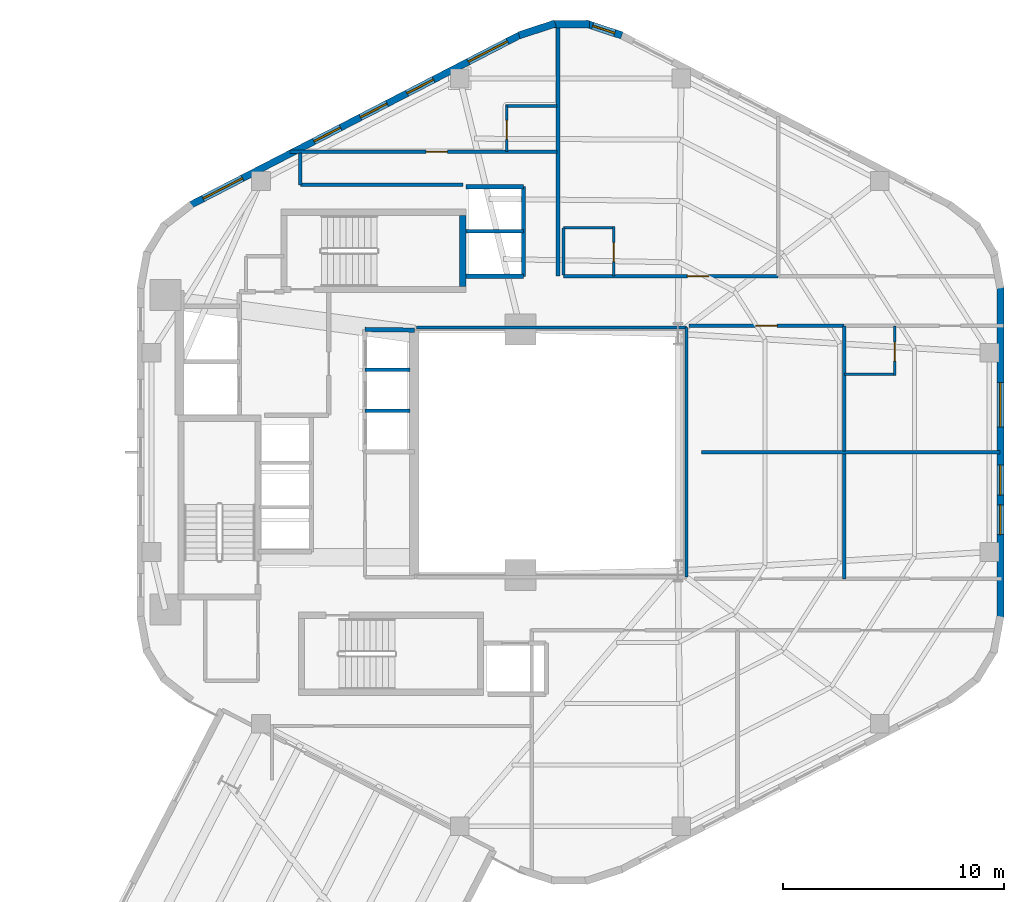
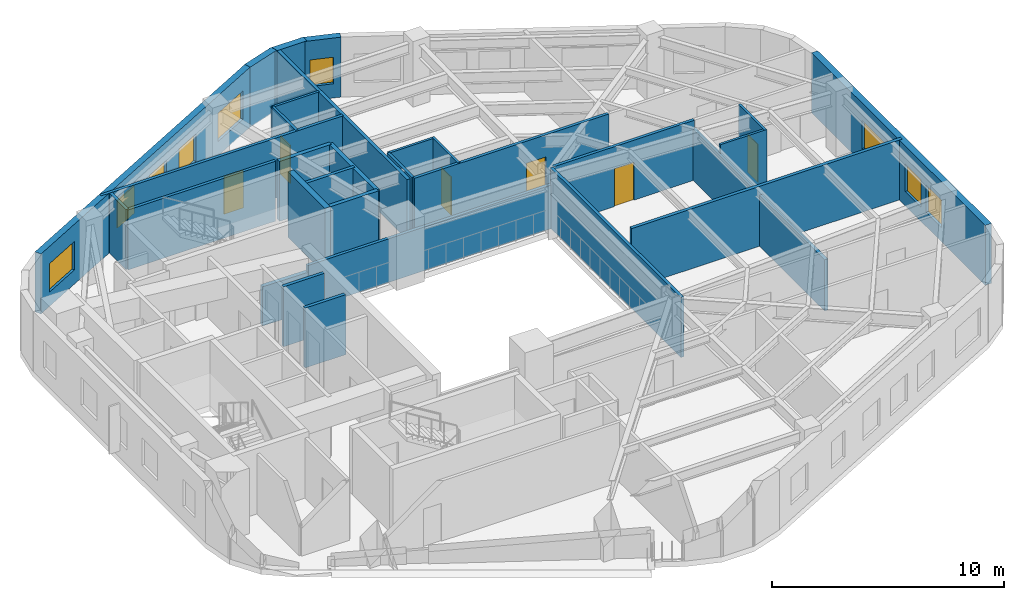
# One storey, part 7 of 9: 31 walls, 9 windows, 6 doors, 15 openings.
"""IFC4 building model written with IfcOpenShell, lengths in metres."""

from ifc_helpers import new_model, si_unit, direction, frame, frame_2d, origin, place, context, subcontext, project, spatial, rectangle, extrude, material, layer, layer_set, type_object, element, fill, save


model = new_model("IFC4")

# Units and contexts
model_context = context("Model", 3, precision=1e-05, world=origin(), true_north=direction((0.0, 1.0)))
body_context = subcontext(model_context, "Body", "Model", "MODEL_VIEW")
ifc_project = project(units=[si_unit("LENGTHUNIT", "METRE"), si_unit("AREAUNIT", "SQUARE_METRE"), si_unit("VOLUMEUNIT", "CUBIC_METRE"), si_unit("PLANEANGLEUNIT", "RADIAN"), si_unit("MASSUNIT", "GRAM", prefix="KILO"), si_unit("THERMODYNAMICTEMPERATUREUNIT", "KELVIN"), si_unit("POWERUNIT", "WATT")], contexts=[model_context])

# Site, building, storey
site_placement = place(None, origin())
site = spatial("IfcSite", under=ifc_project, at=site_placement, CompositionType="ELEMENT")
building_placement = place(site_placement, origin())
building = spatial("IfcBuilding", under=site, at=building_placement, Name="Skarre Station Tower", CompositionType="ELEMENT")
storey_placement = place(building_placement, frame((0.0, 0.0, 177.449951171875)))
storey = spatial("IfcBuildingStorey", under=building, at=storey_placement, Name="L48", CompositionType="ELEMENT", Elevation=177.449951171875)

# Walls
ifc_material_1 = material(Name="Acoustic Steel-Stud Gypsum Partition", Category="steel")
ifc_layer_1 = layer(ifc_material_1, 0.14990234375, Name="Acoustic Steel-Stud Gypsum Partition")
ifc_layer_set_1 = layer_set([ifc_layer_1], Name="Acoustic Steel-Stud Gypsum Partition")
wall_type_1 = type_object("IfcWallType", Name="Fire-Rated Corridor Acoustic Partition 150", PredefinedType="PARTITIONING", material=ifc_layer_set_1)
wall_1_placement = place(storey_placement, frame((39.840087890625, 29.639892578125, 0.0), z_axis=(0.0, 0.0, 1.0), x_axis=(-1.0, 0.0, 0.0)))
element("IfcWall", 1, at=wall_1_placement, inside=storey, type_object=wall_type_1, Name="L48 Interior Partition WL-PT-L48-ATRW-N", PredefinedType="PARTITIONING", context=body_context, shape_type="SweptSolid", body=[
    extrude(rectangle(XDim=12.2001953125, YDim=0.14990234375, at=frame_2d((6.10009765625, 0.0))), origin(), (0.0, 0.0, 1.0), 2.301025390625),
])
wall_2_placement = place(storey_placement, frame((39.840087890625, 18.360107421875, 0.0), z_axis=(0.0, 0.0, 1.0), x_axis=(0.0, 1.0, 0.0)))
element("IfcWall", 2, at=wall_2_placement, inside=storey, type_object=wall_type_1, Name="L48 Interior Partition WL-PT-L48-ATRW-E", PredefinedType="PARTITIONING", context=body_context, shape_type="SweptSolid", body=[
    extrude(rectangle(XDim=11.27978515625, YDim=0.14990234375, at=frame_2d((5.639892578125, 0.0))), origin(), (0.0, 0.0, 1.0), 3.16015625),
])

# Wall, opening, door
wall_3_placement = place(storey_placement, frame((34.0, 37.580078125, 0.0), z_axis=(0.0, 0.0, 1.0), x_axis=(-1.0, 0.0, 0.0)))
wall_3 = element("IfcWall", 3, at=wall_3_placement, inside=storey, type_object=wall_type_1, Name="L48 Interior Partition WL-PT-L48-NWW1-CW", PredefinedType="PARTITIONING", context=body_context, shape_type="SweptSolid", body=[
    extrude(rectangle(XDim=12.074951171875, YDim=0.14990234375, at=frame_2d((6.03759765625, 0.0))), origin(), (0.0, 0.0, 1.0), 3.16015625),
])
opening_1_placement = place(wall_3_placement, frame((4.9599609375, 0.0, 0.0)))
opening_1 = element("IfcOpeningElement", 4, at=opening_1_placement, cuts=wall_3, Name="Opening DR-FD60", PredefinedType="OPENING", context=body_context, shape_type="SweptSolid", body=[
    extrude(rectangle(XDim=0.9599609375, YDim=2.0, at=frame_2d((0.47998046875, 1.0))), frame((0.0, 0.0849609375, 0.0), z_axis=(0.0, -1.0, 0.0), x_axis=(1.0, 0.0, 0.0)), (0.0, 0.0, 1.0), 0.169921875),
])
ifc_material_2 = material(Name="Nordic White-Oak Veneer Solid-Core Fire Leaf", Category="wood")
door_type_1 = type_object("IfcDoorType", Name="Corridor Suite Entry Fire Door FD60 960x2150", OperationType="SINGLE_SWING_LEFT", PredefinedType="DOOR", material=ifc_material_2)
door_1_placement = place(opening_1_placement, origin())
door_1 = element("IfcDoor", 5, at=door_1_placement, inside=storey, type_object=door_type_1, Name="L48 NWW1 Entry Door", OperationType="SINGLE_SWING_LEFT", OverallHeight=2.0, OverallWidth=0.9599609375, PredefinedType="DOOR", context=body_context, shape_type="SweptSolid", body=[
    extrude(rectangle(XDim=0.9599609375, YDim=2.0, at=frame_2d((0.47998046875, 1.0))), frame((0.0, 0.02490234375, 0.0), z_axis=(0.0, -1.0, 0.0), x_axis=(1.0, 0.0, 0.0)), (0.0, 0.0, 1.0), 0.050048828125),
])
fill(opening_1, door_1)

wall_4_placement = place(storey_placement, frame((43.985107421875, 31.9599609375, 0.0), z_axis=(0.0, 0.0, 1.0), x_axis=(-1.0, 0.0, 0.0)))
wall_4 = element("IfcWall", 6, at=wall_4_placement, inside=storey, type_object=wall_type_1, Name="L48 Interior Partition WL-PT-L48-NW1-CW", PredefinedType="PARTITIONING", context=body_context, shape_type="SweptSolid", body=[
    extrude(rectangle(XDim=9.695068359375, YDim=0.14990234375, at=frame_2d((4.84765625, 0.0))), origin(), (0.0, 0.0, 1.0), 3.16015625),
])
opening_2_placement = place(wall_4_placement, frame((3.14794921875, 0.0, 0.0)))
opening_2 = element("IfcOpeningElement", 7, at=opening_2_placement, cuts=wall_4, Name="Opening DR-FD60", PredefinedType="OPENING", context=body_context, shape_type="SweptSolid", body=[
    extrude(rectangle(XDim=0.9599609375, YDim=2.0, at=frame_2d((0.47998046875, 1.0))), frame((0.0, 0.0849609375, 0.0), z_axis=(0.0, -1.0, 0.0), x_axis=(1.0, 0.0, 0.0)), (0.0, 0.0, 1.0), 0.169921875),
])
door_2_placement = place(opening_2_placement, origin())
door_2 = element("IfcDoor", 8, at=door_2_placement, inside=storey, type_object=door_type_1, Name="L48 NW1 Entry Door", OperationType="SINGLE_SWING_LEFT", OverallHeight=2.0, OverallWidth=0.9599609375, PredefinedType="DOOR", context=body_context, shape_type="SweptSolid", body=[
    extrude(rectangle(XDim=0.9599609375, YDim=2.0, at=frame_2d((0.47998046875, 1.0))), frame((0.0, 0.02490234375, 0.0), z_axis=(0.0, -1.0, 0.0), x_axis=(1.0, 0.0, 0.0)), (0.0, 0.0, 1.0), 0.050048828125),
])
fill(opening_2, door_2)

wall_5_placement = place(storey_placement, frame((39.949951171875, 29.7099609375, 0.0), z_axis=(0.0, 0.0, 1.0), x_axis=(1.0, 0.0, 0.0)))
wall_5 = element("IfcWall", 9, at=wall_5_placement, inside=storey, type_object=wall_type_1, Name="L48 Interior Partition WL-PT-L48-EWN1-CW", PredefinedType="PARTITIONING", context=body_context, shape_type="SweptSolid", body=[
    extrude(rectangle(XDim=7.006103515625, YDim=0.14990234375, at=frame_2d((3.5029296875, 0.0))), origin(), (0.0, 0.0, 1.0), 3.16015625),
])
opening_3_placement = place(wall_5_placement, frame((3.02294921875, 0.0, 0.0)))
opening_3 = element("IfcOpeningElement", 10, at=opening_3_placement, cuts=wall_5, Name="Opening DR-FD60", PredefinedType="OPENING", context=body_context, shape_type="SweptSolid", body=[
    extrude(rectangle(XDim=0.9599609375, YDim=2.0, at=frame_2d((0.47998046875, 1.0))), frame((0.0, 0.0849609375, 0.0), z_axis=(0.0, -1.0, 0.0), x_axis=(1.0, 0.0, 0.0)), (0.0, 0.0, 1.0), 0.169921875),
])
door_3_placement = place(opening_3_placement, origin())
door_3 = element("IfcDoor", 11, at=door_3_placement, inside=storey, type_object=door_type_1, Name="L48 EWN1 Entry Door", OperationType="SINGLE_SWING_LEFT", OverallHeight=2.0, OverallWidth=0.9599609375, PredefinedType="DOOR", context=body_context, shape_type="SweptSolid", body=[
    extrude(rectangle(XDim=0.9599609375, YDim=2.0, at=frame_2d((0.47998046875, 1.0))), frame((0.0, 0.02490234375, 0.0), z_axis=(0.0, -1.0, 0.0), x_axis=(1.0, 0.0, 0.0)), (0.0, 0.0, 1.0), 0.050048828125),
])
fill(opening_3, door_3)

# Walls
wall_6_placement = place(storey_placement, frame((29.7529296875, 36.080078125, 0.0), z_axis=(0.0, 0.0, 1.0), x_axis=(-1.0, 0.0, 0.0)))
element("IfcWall", 12, at=wall_6_placement, inside=storey, type_object=wall_type_1, Name="L48 Interior Partition WL-PT-L48-CSEAL-1", PredefinedType="PARTITIONING", context=body_context, shape_type="SweptSolid", body=[
    extrude(rectangle(XDim=7.35302734375, YDim=0.14990234375, at=frame_2d((3.676513671875, 0.0))), origin(), (0.0, 0.0, 1.0), 3.16015625),
])
wall_7_placement = place(storey_placement, frame((22.39990234375, 36.080078125, 0.0), z_axis=(0.0, 0.0, 1.0), x_axis=(0.0, 1.0, 0.0)))
element("IfcWall", 13, at=wall_7_placement, inside=storey, type_object=wall_type_1, Name="L48 Interior Partition WL-PT-L48-CSEAL-2", PredefinedType="PARTITIONING", context=body_context, shape_type="SweptSolid", body=[
    extrude(rectangle(XDim=1.429931640625, YDim=0.14990234375, at=frame_2d((0.71484375, 0.0))), origin(), (0.0, 0.0, 1.0), 3.16015625),
])
ifc_material_3 = material(Name="Insulated Timber-Stud Gypsum Partition", Category="wood")
ifc_layer_2 = layer(ifc_material_3, 0.1201171875, Name="Insulated Timber-Stud Gypsum Partition")
ifc_layer_set_2 = layer_set([ifc_layer_2], Name="Insulated Timber-Stud Gypsum Partition")
wall_type_2 = type_object("IfcWallType", Name="Internal Suite Acoustic Partition 120", PredefinedType="PARTITIONING", material=ifc_layer_set_2)
wall_8_placement = place(storey_placement, frame((34.0, 39.639892578125, 0.0), z_axis=(0.0, 0.0, 1.0), x_axis=(-1.0, 0.0, 0.0)))
element("IfcWall", 14, at=wall_8_placement, inside=storey, type_object=wall_type_2, Name="L48 Interior Partition WL-PT-L48-NWW1-EW3", PredefinedType="PARTITIONING", context=body_context, shape_type="SweptSolid", body=[
    extrude(rectangle(XDim=2.340087890625, YDim=0.1201171875, at=frame_2d((1.169921875, 0.0))), origin(), (0.0, 0.0, 1.0), 3.16015625),
])

# Wall, opening, door
wall_9_placement = place(storey_placement, frame((31.719970703125, 39.639892578125, 0.0), z_axis=(0.0, 0.0, 1.0), x_axis=(0.0, -1.0, 0.0)))
wall_9 = element("IfcWall", 15, at=wall_9_placement, inside=storey, type_object=wall_type_2, Name="L48 Interior Partition WL-PT-L48-NWW1-EW4", PredefinedType="PARTITIONING", context=body_context, shape_type="SweptSolid", body=[
    extrude(rectangle(XDim=2.059814453125, YDim=0.1201171875, at=frame_2d((1.02978515625, 0.0))), origin(), (0.0, 0.0, 1.0), 3.16015625),
])
opening_4_placement = place(wall_9_placement, frame((0.64990234375, 0.0, 0.0)))
opening_4 = element("IfcOpeningElement", 16, at=opening_4_placement, cuts=wall_9, Name="Opening DR-INT86", PredefinedType="OPENING", context=body_context, shape_type="SweptSolid", body=[
    extrude(rectangle(XDim=0.860107421875, YDim=2.0, at=frame_2d((0.43017578125, 1.0))), frame((0.0, 0.070068359375, 0.0), z_axis=(0.0, -1.0, 0.0), x_axis=(1.0, 0.0, 0.0)), (0.0, 0.0, 1.0), 0.14013671875),
])
ifc_material_4 = material(Name="Nordic Birch Acoustic Solid-Core Timber Leaf", Category="wood")
door_type_2 = type_object("IfcDoorType", Name="Internal En-Suite & Bedroom Door 860x2100", OperationType="SINGLE_SWING_LEFT", PredefinedType="DOOR", material=ifc_material_4)
door_4_placement = place(opening_4_placement, origin())
door_4 = element("IfcDoor", 17, at=door_4_placement, inside=storey, type_object=door_type_2, Name="L48 NWW1 En-suite Door", OperationType="SINGLE_SWING_RIGHT", OverallHeight=2.0, OverallWidth=0.860107421875, PredefinedType="DOOR", context=body_context, shape_type="SweptSolid", body=[
    extrude(rectangle(XDim=0.860107421875, YDim=2.0, at=frame_2d((0.43017578125, 1.0))), frame((0.0, 0.02490234375, 0.0), z_axis=(0.0, -1.0, 0.0), x_axis=(1.0, 0.0, 0.0)), (0.0, 0.0, 1.0), 0.050048828125),
])
fill(opening_4, door_4)

wall_10_placement = place(storey_placement, frame((36.550048828125, 31.9599609375, 0.0), z_axis=(0.0, 0.0, 1.0), x_axis=(0.0, 1.0, 0.0)))
wall_10 = element("IfcWall", 18, at=wall_10_placement, inside=storey, type_object=wall_type_2, Name="L48 Interior Partition WL-PT-L48-NW1-EW2", PredefinedType="PARTITIONING", context=body_context, shape_type="SweptSolid", body=[
    extrude(rectangle(XDim=2.239990234375, YDim=0.1201171875, at=frame_2d((1.1201171875, 0.0))), origin(), (0.0, 0.0, 1.0), 3.16015625),
])
opening_5_placement = place(wall_10_placement, frame((0.64990234375, 0.0, 0.0)))
opening_5 = element("IfcOpeningElement", 19, at=opening_5_placement, cuts=wall_10, Name="Opening DR-INT86", PredefinedType="OPENING", context=body_context, shape_type="SweptSolid", body=[
    extrude(rectangle(XDim=0.860107421875, YDim=2.0, at=frame_2d((0.43017578125, 1.0))), frame((0.0, 0.070068359375, 0.0), z_axis=(0.0, -1.0, 0.0), x_axis=(1.0, 0.0, 0.0)), (0.0, 0.0, 1.0), 0.14013671875),
])
door_5_placement = place(opening_5_placement, origin())
door_5 = element("IfcDoor", 20, at=door_5_placement, inside=storey, type_object=door_type_2, Name="L48 NW1 En-suite Door", OperationType="SINGLE_SWING_LEFT", OverallHeight=2.0, OverallWidth=0.860107421875, PredefinedType="DOOR", context=body_context, shape_type="SweptSolid", body=[
    extrude(rectangle(XDim=0.860107421875, YDim=2.0, at=frame_2d((0.43017578125, 1.0))), frame((0.0, 0.02490234375, 0.0), z_axis=(0.0, -1.0, 0.0), x_axis=(1.0, 0.0, 0.0)), (0.0, 0.0, 1.0), 0.050048828125),
])
fill(opening_5, door_5)

# Walls
wall_11_placement = place(storey_placement, frame((36.610107421875, 34.139892578125, 0.0), z_axis=(0.0, 0.0, 1.0), x_axis=(-1.0, 0.0, 0.0)))
element("IfcWall", 21, at=wall_11_placement, inside=storey, type_object=wall_type_2, Name="L48 Interior Partition WL-PT-L48-NW1-EW3", PredefinedType="PARTITIONING", context=body_context, shape_type="SweptSolid", body=[
    extrude(rectangle(XDim=2.320068359375, YDim=0.1201171875, at=frame_2d((1.16015625, 0.0))), origin(), (0.0, 0.0, 1.0), 3.16015625),
])
wall_12_placement = place(storey_placement, frame((34.2900390625, 34.139892578125, 0.0), z_axis=(0.0, 0.0, 1.0), x_axis=(0.0, -1.0, 0.0)))
element("IfcWall", 22, at=wall_12_placement, inside=storey, type_object=wall_type_2, Name="L48 Interior Partition WL-PT-L48-NW1-EW4", PredefinedType="PARTITIONING", context=body_context, shape_type="SweptSolid", body=[
    extrude(rectangle(XDim=2.139892578125, YDim=0.1201171875, at=frame_2d((1.06982421875, 0.0))), origin(), (0.0, 0.0, 1.0), 3.16015625),
])

# Wall, opening, door
wall_13_placement = place(storey_placement, frame((49.24609375, 27.469970703125, 0.0), z_axis=(0.0, 0.0, 1.0), x_axis=(0.0, 1.0, 0.0)))
wall_13 = element("IfcWall", 23, at=wall_13_placement, inside=storey, type_object=wall_type_2, Name="L48 Interior Partition WL-PT-L48-EWN2-EW2", PredefinedType="PARTITIONING", context=body_context, shape_type="SweptSolid", body=[
    extrude(rectangle(XDim=2.239990234375, YDim=0.1201171875, at=frame_2d((1.1201171875, 0.0))), origin(), (0.0, 0.0, 1.0), 3.16015625),
])
opening_6_placement = place(wall_13_placement, frame((0.64990234375, 0.0, 0.0)))
opening_6 = element("IfcOpeningElement", 24, at=opening_6_placement, cuts=wall_13, Name="Opening DR-INT86", PredefinedType="OPENING", context=body_context, shape_type="SweptSolid", body=[
    extrude(rectangle(XDim=0.860107421875, YDim=2.0, at=frame_2d((0.43017578125, 1.0))), frame((0.0, 0.070068359375, 0.0), z_axis=(0.0, -1.0, 0.0), x_axis=(1.0, 0.0, 0.0)), (0.0, 0.0, 1.0), 0.14013671875),
])
door_6_placement = place(opening_6_placement, origin())
door_6 = element("IfcDoor", 25, at=door_6_placement, inside=storey, type_object=door_type_2, Name="L48 EWN2 En-suite Door", OperationType="SINGLE_SWING_RIGHT", OverallHeight=2.0, OverallWidth=0.860107421875, PredefinedType="DOOR", context=body_context, shape_type="SweptSolid", body=[
    extrude(rectangle(XDim=0.860107421875, YDim=2.0, at=frame_2d((0.43017578125, 1.0))), frame((0.0, 0.02490234375, 0.0), z_axis=(0.0, -1.0, 0.0), x_axis=(1.0, 0.0, 0.0)), (0.0, 0.0, 1.0), 0.050048828125),
])
fill(opening_6, door_6)

# Walls
wall_14_placement = place(storey_placement, frame((46.986083984375, 27.530029296875, 0.0), z_axis=(0.0, 0.0, 1.0), x_axis=(1.0, 0.0, 0.0)))
element("IfcWall", 26, at=wall_14_placement, inside=storey, type_object=wall_type_2, Name="L48 Interior Partition WL-PT-L48-EWN2-EW1", PredefinedType="PARTITIONING", context=body_context, shape_type="SweptSolid", body=[
    extrude(rectangle(XDim=2.31982421875, YDim=0.1201171875, at=frame_2d((1.159912109375, 0.0))), origin(), (0.0, 0.0, 1.0), 3.16015625),
])
ifc_material_5 = material(Name="Precast concrete C45/55", Category="concrete")
ifc_layer_3 = layer(ifc_material_5, 0.330078125, Name="Precast concrete C45/55")
ifc_layer_set_3 = layer_set([ifc_layer_3], Name="Precast concrete C45/55")
wall_type_3 = type_object("IfcWallType", Name="Nordic Rounded Corner Precast Wall 330", PredefinedType="STANDARD", material=ifc_layer_set_3)
wall_15_placement = place(storey_placement, frame((32.281005859375, 42.83203125, 0.0), z_axis=(0.0, 0.0, 1.0), x_axis=(0.949937416267, 0.312440242569, 0.0)))
element("IfcWall", 27, at=wall_15_placement, inside=storey, type_object=wall_type_3, Name="L48 Rounded Corner Precast Wall F1-1", PredefinedType="STANDARD", context=body_context, shape_type="SweptSolid", body=[
    extrude(rectangle(XDim=1.72216796875, YDim=0.330078125, at=frame_2d((0.861083984375, 0.0))), origin(), (0.0, 0.0, 1.0), 3.16015625),
])
wall_16_placement = place(storey_placement, frame((33.739013671875, 43.341064453125, 0.0), z_axis=(0.0, 0.0, 1.0), x_axis=(1.0, 0.0, 0.0)))
element("IfcWall", 28, at=wall_16_placement, inside=storey, type_object=wall_type_3, Name="L48 Rounded Corner Precast Wall F1-2", PredefinedType="STANDARD", context=body_context, shape_type="SweptSolid", body=[
    extrude(rectangle(XDim=1.721923828125, YDim=0.330078125, at=frame_2d((0.86083984375, 0.0))), origin(), (0.0, 0.0, 1.0), 3.16015625),
])

# Wall, opening, window
wall_17_placement = place(storey_placement, frame((35.282958984375, 43.3701171875, 0.0), z_axis=(0.0, 0.0, 1.0), x_axis=(0.949937416267, -0.312440242569, 0.0)))
wall_17 = element("IfcWall", 29, at=wall_17_placement, inside=storey, type_object=wall_type_3, Name="L48 Rounded Corner Precast Wall F1-3", PredefinedType="STANDARD", context=body_context, shape_type="SweptSolid", body=[
    extrude(rectangle(XDim=1.72216796875, YDim=0.330078125, at=frame_2d((0.861083984375, 0.0))), origin(), (0.0, 0.0, 1.0), 3.16015625),
])
opening_7_placement = place(wall_17_placement, frame((0.3359375, 0.0, 0.75)))
opening_7 = element("IfcOpeningElement", 30, at=opening_7_placement, cuts=wall_17, Name="Opening WN-SLT", PredefinedType="OPENING", context=body_context, shape_type="SweptSolid", body=[
    extrude(rectangle(XDim=1.050048828125, YDim=1.39990234375, at=frame_2d((0.52490234375, 0.699951171875))), frame((0.0, 0.175048828125, 0.0), z_axis=(0.0, -1.0, 0.0), x_axis=(1.0, 0.0, 0.0)), (0.0, 0.0, 1.0), 0.35009765625),
])
ifc_material_6 = material(Name="Low-Iron Triple Glazing with Bronze Anodized Frame", Category="glass")
window_type_1 = type_object("IfcWindowType", Name="Nordic Corner Slot Window 1050x1400", PartitioningType="SINGLE_PANEL", PredefinedType="WINDOW", material=ifc_material_6)
window_1_placement = place(opening_7_placement, origin())
window_1 = element("IfcWindow", 31, at=window_1_placement, inside=storey, type_object=window_type_1, Name="L48 Apex Corner Slot Window F1-3", OverallHeight=1.39990234375, OverallWidth=1.050048828125, PartitioningType="SINGLE_PANEL", PredefinedType="WINDOW", context=body_context, shape_type="SweptSolid", body=[
    extrude(rectangle(XDim=1.050048828125, YDim=1.39990234375, at=frame_2d((0.52490234375, 0.699951171875))), frame((0.0, 0.030029296875, 0.0), z_axis=(0.0, -1.0, 0.0), x_axis=(1.0, 0.0, 0.0)), (0.0, 0.0, 1.0), 0.06005859375),
])
fill(opening_7, window_1)

# Wall, openings, windows
ifc_layer_4 = layer(ifc_material_5, 0.31005859375, Name="Precast concrete C45/55")
ifc_layer_set_4 = layer_set([ifc_layer_4], Name="Precast concrete C45/55")
wall_type_4 = type_object("IfcWallType", Name="Nordic Upper-Zone Precast Facet Wall 310", PredefinedType="STANDARD", material=ifc_layer_set_4)
wall_18_placement = place(storey_placement, frame((17.407958984375, 35.153076171875, 0.0), z_axis=(0.0, 0.0, 1.0), x_axis=(0.888626188278, 0.458632202867, 0.0)))
wall_18 = element("IfcWall", 32, at=wall_18_placement, inside=storey, type_object=wall_type_4, Name="L48 Facet 1 Nordic Precast Masonry Wall", PredefinedType="STANDARD", context=body_context, shape_type="SweptSolid", body=[
    extrude(rectangle(XDim=16.828369140625, YDim=0.31005859375, at=frame_2d((8.4140625, 0.0))), origin(), (0.0, 0.0, 1.0), 3.16015625),
])
opening_8_placement = place(wall_18_placement, frame((0.675048828125, 0.0, 0.75)))
opening_8 = element("IfcOpeningElement", 33, at=opening_8_placement, cuts=wall_18, Name="Opening WN-Z3A", PredefinedType="OPENING", context=body_context, shape_type="SweptSolid", body=[
    extrude(rectangle(XDim=2.0, YDim=1.5, at=frame_2d((1.0, 0.75))), frame((0.0, 0.1650390625, 0.0), z_axis=(0.0, -1.0, 0.0), x_axis=(1.0, 0.0, 0.0)), (0.0, 0.0, 1.0), 0.330078125),
])
opening_9_placement = place(wall_18_placement, frame((6.31201171875, 0.0, 0.75)))
opening_9 = element("IfcOpeningElement", 34, at=opening_9_placement, cuts=wall_18, Name="Opening WN-Z3B", PredefinedType="OPENING", context=body_context, shape_type="SweptSolid", body=[
    extrude(rectangle(XDim=1.35009765625, YDim=1.449951171875, at=frame_2d((0.675048828125, 0.72509765625))), frame((0.0, 0.1650390625, 0.0), z_axis=(0.0, -1.0, 0.0), x_axis=(1.0, 0.0, 0.0)), (0.0, 0.0, 1.0), 0.330078125),
])
opening_10_placement = place(wall_18_placement, frame((8.676025390625, 0.0, 0.75)))
opening_10 = element("IfcOpeningElement", 35, at=opening_10_placement, cuts=wall_18, Name="Opening WN-Z3B", PredefinedType="OPENING", context=body_context, shape_type="SweptSolid", body=[
    extrude(rectangle(XDim=1.35009765625, YDim=1.449951171875, at=frame_2d((0.675048828125, 0.72509765625))), frame((0.0, 0.1650390625, 0.0), z_axis=(0.0, -1.0, 0.0), x_axis=(1.0, 0.0, 0.0)), (0.0, 0.0, 1.0), 0.330078125),
])
opening_11_placement = place(wall_18_placement, frame((11.041015625, 0.0, 0.75)))
opening_11 = element("IfcOpeningElement", 36, at=opening_11_placement, cuts=wall_18, Name="Opening WN-Z3B", PredefinedType="OPENING", context=body_context, shape_type="SweptSolid", body=[
    extrude(rectangle(XDim=1.35009765625, YDim=1.449951171875, at=frame_2d((0.675048828125, 0.72509765625))), frame((0.0, 0.1650390625, 0.0), z_axis=(0.0, -1.0, 0.0), x_axis=(1.0, 0.0, 0.0)), (0.0, 0.0, 1.0), 0.330078125),
])
opening_12_placement = place(wall_18_placement, frame((14.153076171875, 0.0, 0.75)))
opening_12 = element("IfcOpeningElement", 37, at=opening_12_placement, cuts=wall_18, Name="Opening WN-Z3A", PredefinedType="OPENING", context=body_context, shape_type="SweptSolid", body=[
    extrude(rectangle(XDim=2.0, YDim=1.5, at=frame_2d((1.0, 0.75))), frame((0.0, 0.1650390625, 0.0), z_axis=(0.0, -1.0, 0.0), x_axis=(1.0, 0.0, 0.0)), (0.0, 0.0, 1.0), 0.330078125),
])
window_type_2 = type_object("IfcWindowType", Name="Nordic Hospitality Narrow Window 1350x1450", PartitioningType="SINGLE_PANEL", PredefinedType="WINDOW", material=ifc_material_6)
window_2_placement = place(opening_9_placement, origin())
window_2 = element("IfcWindow", 38, at=window_2_placement, inside=storey, type_object=window_type_2, Name="L48 Facade Window WL-FAC-L48-F1-2", OverallHeight=1.449951171875, OverallWidth=1.35009765625, PartitioningType="SINGLE_PANEL", PredefinedType="WINDOW", context=body_context, shape_type="SweptSolid", body=[
    extrude(rectangle(XDim=1.35009765625, YDim=1.449951171875, at=frame_2d((0.675048828125, 0.72509765625))), frame((0.0, 0.030029296875, 0.0), z_axis=(0.0, -1.0, 0.0), x_axis=(1.0, 0.0, 0.0)), (0.0, 0.0, 1.0), 0.06005859375),
])
fill(opening_9, window_2)
window_3_placement = place(opening_10_placement, origin())
window_3 = element("IfcWindow", 39, at=window_3_placement, inside=storey, type_object=window_type_2, Name="L48 Facade Window WL-FAC-L48-F1-3", OverallHeight=1.449951171875, OverallWidth=1.35009765625, PartitioningType="SINGLE_PANEL", PredefinedType="WINDOW", context=body_context, shape_type="SweptSolid", body=[
    extrude(rectangle(XDim=1.35009765625, YDim=1.449951171875, at=frame_2d((0.675048828125, 0.72509765625))), frame((0.0, 0.030029296875, 0.0), z_axis=(0.0, -1.0, 0.0), x_axis=(1.0, 0.0, 0.0)), (0.0, 0.0, 1.0), 0.06005859375),
])
fill(opening_10, window_3)
window_4_placement = place(opening_11_placement, origin())
window_4 = element("IfcWindow", 40, at=window_4_placement, inside=storey, type_object=window_type_2, Name="L48 Facade Window WL-FAC-L48-F1-4", OverallHeight=1.449951171875, OverallWidth=1.35009765625, PartitioningType="SINGLE_PANEL", PredefinedType="WINDOW", context=body_context, shape_type="SweptSolid", body=[
    extrude(rectangle(XDim=1.35009765625, YDim=1.449951171875, at=frame_2d((0.675048828125, 0.72509765625))), frame((0.0, 0.030029296875, 0.0), z_axis=(0.0, -1.0, 0.0), x_axis=(1.0, 0.0, 0.0)), (0.0, 0.0, 1.0), 0.06005859375),
])
fill(opening_11, window_4)
window_type_3 = type_object("IfcWindowType", Name="Nordic Hospitality Window 2000x1500", PartitioningType="SINGLE_PANEL", PredefinedType="WINDOW", material=ifc_material_6)
window_5_placement = place(opening_8_placement, origin())
window_5 = element("IfcWindow", 41, at=window_5_placement, inside=storey, type_object=window_type_3, Name="L48 Facade Window WL-FAC-L48-F1-1", OverallHeight=1.5, OverallWidth=2.0, PartitioningType="SINGLE_PANEL", PredefinedType="WINDOW", context=body_context, shape_type="SweptSolid", body=[
    extrude(rectangle(XDim=2.0, YDim=1.5, at=frame_2d((1.0, 0.75))), frame((0.0, 0.030029296875, 0.0), z_axis=(0.0, -1.0, 0.0), x_axis=(1.0, 0.0, 0.0)), (0.0, 0.0, 1.0), 0.06005859375),
])
fill(opening_8, window_5)
window_6_placement = place(opening_12_placement, origin())
window_6 = element("IfcWindow", 42, at=window_6_placement, inside=storey, type_object=window_type_3, Name="L48 Facade Window WL-FAC-L48-F1-5", OverallHeight=1.5, OverallWidth=2.0, PartitioningType="SINGLE_PANEL", PredefinedType="WINDOW", context=body_context, shape_type="SweptSolid", body=[
    extrude(rectangle(XDim=2.0, YDim=1.5, at=frame_2d((1.0, 0.75))), frame((0.0, 0.030029296875, 0.0), z_axis=(0.0, -1.0, 0.0), x_axis=(1.0, 0.0, 0.0)), (0.0, 0.0, 1.0), 0.06005859375),
])
fill(opening_12, window_6)

wall_19_placement = place(storey_placement, frame((54.01708984375, 31.501953125, 0.0), z_axis=(0.0, 0.0, 1.0), x_axis=(0.0, -1.0, 0.0)))
wall_19 = element("IfcWall", 43, at=wall_19_placement, inside=storey, type_object=wall_type_4, Name="L48 Facet 5 Nordic Precast Masonry Wall", PredefinedType="STANDARD", context=body_context, shape_type="SweptSolid", body=[
    extrude(rectangle(XDim=15.00390625, YDim=0.31005859375, at=frame_2d((7.501953125, 0.0))), origin(), (0.0, 0.0, 1.0), 3.16015625),
])
opening_13_placement = place(wall_19_placement, frame((4.35302734375, 0.0, 0.75)))
opening_13 = element("IfcOpeningElement", 44, at=opening_13_placement, cuts=wall_19, Name="Opening WN-Z3A", PredefinedType="OPENING", context=body_context, shape_type="SweptSolid", body=[
    extrude(rectangle(XDim=2.0, YDim=1.5, at=frame_2d((1.0, 0.75))), frame((0.0, 0.1650390625, 0.0), z_axis=(0.0, -1.0, 0.0), x_axis=(1.0, 0.0, 0.0)), (0.0, 0.0, 1.0), 0.330078125),
])
opening_14_placement = place(wall_19_placement, frame((8.0830078125, 0.0, 0.75)))
opening_14 = element("IfcOpeningElement", 45, at=opening_14_placement, cuts=wall_19, Name="Opening WN-Z3B", PredefinedType="OPENING", context=body_context, shape_type="SweptSolid", body=[
    extrude(rectangle(XDim=1.35009765625, YDim=1.449951171875, at=frame_2d((0.675048828125, 0.72509765625))), frame((0.0, 0.1650390625, 0.0), z_axis=(0.0, -1.0, 0.0), x_axis=(1.0, 0.0, 0.0)), (0.0, 0.0, 1.0), 0.330078125),
])
opening_15_placement = place(wall_19_placement, frame((9.8701171875, 0.0, 0.75)))
opening_15 = element("IfcOpeningElement", 46, at=opening_15_placement, cuts=wall_19, Name="Opening WN-Z3B", PredefinedType="OPENING", context=body_context, shape_type="SweptSolid", body=[
    extrude(rectangle(XDim=1.35009765625, YDim=1.449951171875, at=frame_2d((0.675048828125, 0.72509765625))), frame((0.0, 0.1650390625, 0.0), z_axis=(0.0, -1.0, 0.0), x_axis=(1.0, 0.0, 0.0)), (0.0, 0.0, 1.0), 0.330078125),
])
window_7_placement = place(opening_14_placement, origin())
window_7 = element("IfcWindow", 47, at=window_7_placement, inside=storey, type_object=window_type_2, Name="L48 Facade Window WL-FAC-L48-F5-2", OverallHeight=1.449951171875, OverallWidth=1.35009765625, PartitioningType="SINGLE_PANEL", PredefinedType="WINDOW", context=body_context, shape_type="SweptSolid", body=[
    extrude(rectangle(XDim=1.35009765625, YDim=1.449951171875, at=frame_2d((0.675048828125, 0.72509765625))), frame((0.0, 0.030029296875, 0.0), z_axis=(0.0, -1.0, 0.0), x_axis=(1.0, 0.0, 0.0)), (0.0, 0.0, 1.0), 0.06005859375),
])
fill(opening_14, window_7)
window_8_placement = place(opening_15_placement, origin())
window_8 = element("IfcWindow", 48, at=window_8_placement, inside=storey, type_object=window_type_2, Name="L48 Facade Window WL-FAC-L48-F5-3", OverallHeight=1.449951171875, OverallWidth=1.35009765625, PartitioningType="SINGLE_PANEL", PredefinedType="WINDOW", context=body_context, shape_type="SweptSolid", body=[
    extrude(rectangle(XDim=1.35009765625, YDim=1.449951171875, at=frame_2d((0.675048828125, 0.72509765625))), frame((0.0, 0.030029296875, 0.0), z_axis=(0.0, -1.0, 0.0), x_axis=(1.0, 0.0, 0.0)), (0.0, 0.0, 1.0), 0.06005859375),
])
fill(opening_15, window_8)
window_9_placement = place(opening_13_placement, origin())
window_9 = element("IfcWindow", 49, at=window_9_placement, inside=storey, type_object=window_type_3, Name="L48 Facade Window WL-FAC-L48-F5-1", OverallHeight=1.5, OverallWidth=2.0, PartitioningType="SINGLE_PANEL", PredefinedType="WINDOW", context=body_context, shape_type="SweptSolid", body=[
    extrude(rectangle(XDim=2.0, YDim=1.5, at=frame_2d((1.0, 0.75))), frame((0.0, 0.030029296875, 0.0), z_axis=(0.0, -1.0, 0.0), x_axis=(1.0, 0.0, 0.0)), (0.0, 0.0, 1.0), 0.06005859375),
])
fill(opening_13, window_9)

# Walls
ifc_material_7 = material(Name="Concrete C50/60", Category="concrete")
ifc_layer_5 = layer(ifc_material_7, 0.280029296875, Name="Concrete C50/60")
ifc_layer_set_5 = layer_set([ifc_layer_5], Name="Concrete C50/60")
wall_type_5 = type_object("IfcWallType", Name="RC Core Shear Wall 280", PredefinedType="SHEAR", material=ifc_layer_set_5)
wall_20_placement = place(storey_placement, frame((29.739990234375, 31.5, 0.0), z_axis=(0.0, 0.0, 1.0), x_axis=(0.0, 1.0, 0.0)))
element("IfcWall", 50, at=wall_20_placement, inside=storey, type_object=wall_type_5, Name="L48 Stair ST-3 East Shear Wall", PredefinedType="SHEAR", context=body_context, shape_type="SweptSolid", body=[
    extrude(rectangle(XDim=3.199951171875, YDim=0.280029296875, at=frame_2d((1.60009765625, 0.0))), origin(), (0.0, 0.0, 1.0), 3.449951171875),
])
ifc_material_8 = material(Name="Gypsum Concrete Shaft Assembly C30/37", Category="concrete")
ifc_layer_6 = layer(ifc_material_8, 0.199951171875, Name="Gypsum Concrete Shaft Assembly C30/37")
ifc_layer_set_6 = layer_set([ifc_layer_6], Name="Gypsum Concrete Shaft Assembly C30/37")
wall_type_6 = type_object("IfcWallType", Name="Shaft & Core Fire Partition 200", PredefinedType="PARTITIONING", material=ifc_layer_set_6)
wall_21_placement = place(storey_placement, frame((32.47998046875, 31.949951171875, 0.0), z_axis=(0.0, 0.0, 1.0), x_axis=(0.0, 1.0, 0.0)))
element("IfcWall", 51, at=wall_21_placement, inside=storey, type_object=wall_type_6, Name="L48 Interior Partition WL-PT-L48-EX-E", PredefinedType="PARTITIONING", context=body_context, shape_type="SweptSolid", body=[
    extrude(rectangle(XDim=4.050048828125, YDim=0.199951171875, at=frame_2d((2.02490234375, 0.0))), origin(), (0.0, 0.0, 1.0), 3.16015625),
])
for number, where, z_axis, x_axis, name in (
    (52, (29.8798828125, 36.0, 0.0), (0.0, 0.0, 1.0), (1.0, 0.0, 0.0), "L48 Interior Partition WL-PT-L48-EX-N"),
    (53, (32.47998046875, 31.949951171875, 0.0), (0.0, 0.0, 1.0), (-1.0, 0.0, 0.0), "L48 Interior Partition WL-PT-L48-EX-S"),
):
    element("IfcWall", number, at=place(storey_placement, frame(where, z_axis=z_axis, x_axis=x_axis)), inside=storey, type_object=wall_type_6, Name=name, PredefinedType="PARTITIONING", context=body_context, shape_type="SweptSolid", body=[
        extrude(rectangle(XDim=2.60009765625, YDim=0.199951171875, at=frame_2d((1.300048828125, 0.0))), origin(), (0.0, 0.0, 1.0), 3.16015625),
    ])
wall_22_placement = place(storey_placement, frame((29.875, 33.97998046875, 0.0), z_axis=(0.0, 0.0, 1.0), x_axis=(1.0, 0.0, 0.0)))
element("IfcWall", 54, at=wall_22_placement, inside=storey, type_object=wall_type_6, Name="L48 Interior Partition WL-PT-L48-EX-DIV", PredefinedType="PARTITIONING", context=body_context, shape_type="SweptSolid", body=[
    extrude(rectangle(XDim=2.60498046875, YDim=0.159912109375, at=frame_2d((1.302490234375, 0.0))), origin(), (0.0, 0.0, 1.0), 3.16015625),
])
wall_23_placement = place(storey_placement, frame((27.550048828125, 29.52001953125, 0.0), z_axis=(0.0, 0.0, 1.0), x_axis=(-0.999909343457, 0.013464949556, 0.0)))
element("IfcWall", 55, at=wall_23_placement, inside=storey, type_object=wall_type_6, Name="L48 Interior Partition WL-PT-L48-B2-N", PredefinedType="PARTITIONING", context=body_context, shape_type="SweptSolid", body=[
    extrude(rectangle(XDim=2.230224609375, YDim=0.199951171875, at=frame_2d((1.115234375, 0.0))), origin(), (0.0, 0.0, 1.0), 2.06005859375),
])
for number, where, z_axis, x_axis, name in (
    (56, (25.320068359375, 25.8701171875, 0.0), (0.0, 0.0, 1.0), (1.0, 0.0, 0.0), "L48 Interior Partition WL-PT-L48-B2-D258"),
    (57, (25.320068359375, 27.719970703125, 0.0), (0.0, 0.0, 1.0), (1.0, 0.0, 0.0), "L48 Interior Partition WL-PT-L48-B2-D277"),
):
    element("IfcWall", number, at=place(storey_placement, frame(where, z_axis=z_axis, x_axis=x_axis)), inside=storey, type_object=wall_type_6, Name=name, PredefinedType="PARTITIONING", context=body_context, shape_type="SweptSolid", body=[
        extrude(rectangle(XDim=2.030029296875, YDim=0.159912109375, at=frame_2d((1.01513671875, 0.0))), origin(), (0.0, 0.0, 1.0), 3.16015625),
    ])
ifc_layer_7 = layer(ifc_material_1, 0.1650390625, Name="Acoustic Steel-Stud Gypsum Partition")
ifc_layer_set_7 = layer_set([ifc_layer_7], Name="Acoustic Steel-Stud Gypsum Partition")
wall_type_7 = type_object("IfcWallType", Name="Suite Demising Acoustic Partition 165", PredefinedType="PARTITIONING", material=ifc_layer_set_7)
wall_24_placement = place(storey_placement, frame((34.0400390625, 31.9599609375, 0.0), z_axis=(0.0, 0.0, 1.0), x_axis=(0.0, 1.0, 0.0)))
element("IfcWall", 58, at=wall_24_placement, inside=storey, type_object=wall_type_7, Name="L48 Interior Partition WL-PT-L48-NW-WBND", PredefinedType="PARTITIONING", context=body_context, shape_type="SweptSolid", body=[
    extrude(rectangle(XDim=11.3759765625, YDim=0.1650390625, at=frame_2d((5.68798828125, 0.0))), origin(), (0.0, 0.0, 1.0), 3.16015625),
])
wall_25_placement = place(storey_placement, frame((40.52001953125, 24.0, 0.0), z_axis=(0.0, 0.0, 1.0), x_axis=(1.0, 0.0, 0.0)))
element("IfcWall", 59, at=wall_25_placement, inside=storey, type_object=wall_type_7, Name="L48 Interior Partition WL-PT-L48-EW-Z2MID", PredefinedType="PARTITIONING", context=body_context, shape_type="SweptSolid", body=[
    extrude(rectangle(XDim=13.48193359375, YDim=0.1650390625, at=frame_2d((6.740966796875, 0.0))), origin(), (0.0, 0.0, 1.0), 3.16015625),
])
for number, where, z_axis, x_axis, name in (
    (60, (46.970947265625, 24.070068359375, 0.0), (0.0, 0.0, 1.0), (0.0, 1.0, 0.0), "L48 Interior Partition WL-PT-L48-EWN-P1"),
    (61, (46.970947265625, 18.2900390625, 0.0), (0.0, 0.0, 1.0), (0.0, 1.0, 0.0), "L48 Interior Partition WL-PT-L48-EWS-P1"),
):
    element("IfcWall", number, at=place(storey_placement, frame(where, z_axis=z_axis, x_axis=x_axis)), inside=storey, type_object=wall_type_7, Name=name, PredefinedType="PARTITIONING", context=body_context, shape_type="SweptSolid", body=[
        extrude(rectangle(XDim=5.639892578125, YDim=0.1650390625, at=frame_2d((2.81982421875, 0.0))), origin(), (0.0, 0.0, 1.0), 2.703125),
    ])

save(model, "model.ifc")
